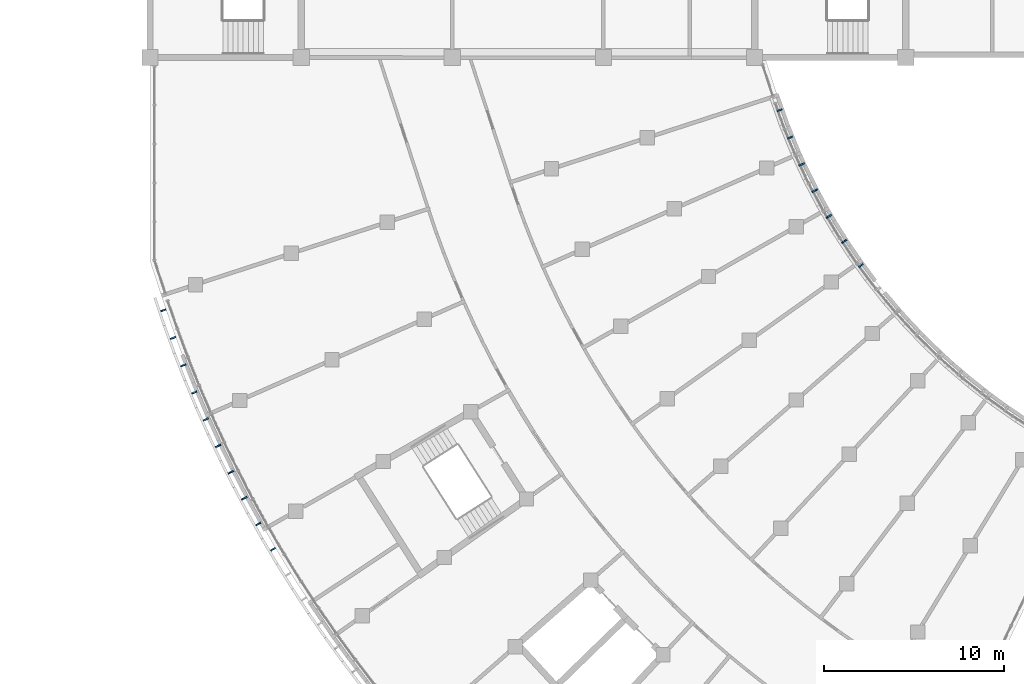
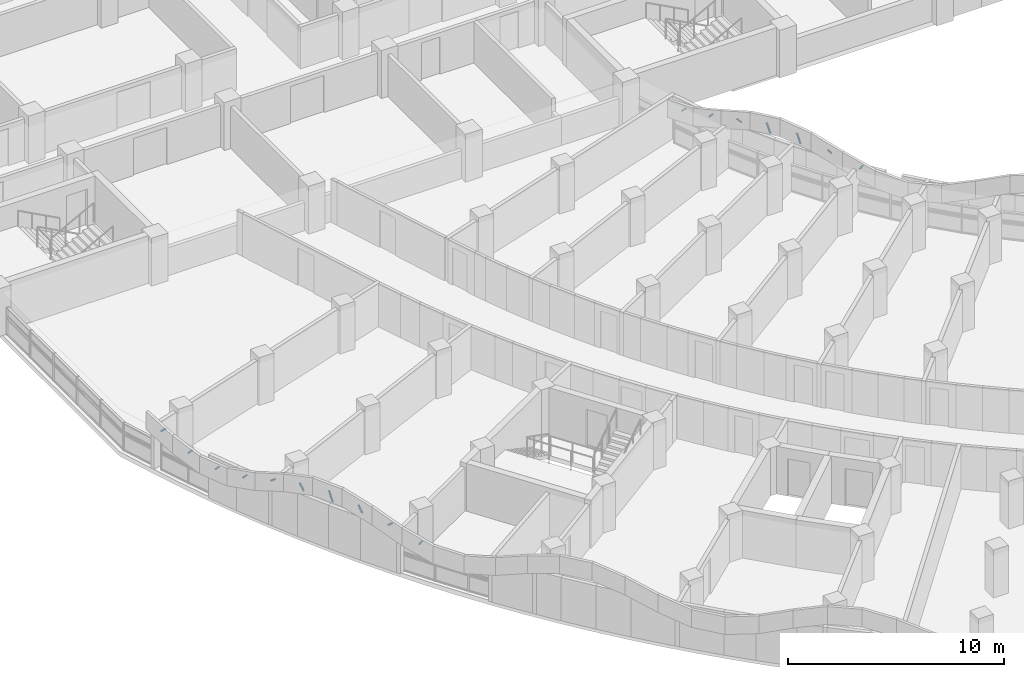
# One storey, part 73 of 89: 17 discrete accessories.
"""IFC4 building model written with IfcOpenShell, lengths in metres."""

from ifc_helpers import new_model, si_unit, direction, frame, origin, origin_2d, place, context, subcontext, project, spatial, rectangle, extrude, material, material_profile, profile_set, type_object, element, save


model = new_model("IFC4")

# Units and contexts
model_context = context("Model", 3, precision=1e-05, world=origin(), true_north=direction((0.0, 1.0)))
body_context = subcontext(model_context, "Body", "Model", "MODEL_VIEW")
ifc_project = project(units=[si_unit("LENGTHUNIT", "METRE"), si_unit("AREAUNIT", "SQUARE_METRE"), si_unit("VOLUMEUNIT", "CUBIC_METRE"), si_unit("PLANEANGLEUNIT", "RADIAN"), si_unit("MASSUNIT", "GRAM", prefix="KILO")], contexts=[model_context])

# Site, building, storey
site_placement = place(None, origin())
site = spatial("IfcSite", under=ifc_project, at=site_placement, CompositionType="ELEMENT")
building_placement = place(site_placement, origin())
building = spatial("IfcBuilding", under=site, at=building_placement, Name="Bougainvillea Quay General Hospital", CompositionType="ELEMENT")
storey_placement = place(building_placement, frame((0.0, 0.0, 9.89990234375)))
storey = spatial("IfcBuildingStorey", under=building, at=storey_placement, Name="L01M", CompositionType="ELEMENT", Elevation=9.89990234375)

# Discrete accessories
ifc_material = material(Name="Stainless steel bracket, grade 316", Category="steel")
ifc_material_profile = material_profile(ifc_material, rectangle(XDim=0.080078125, YDim=0.050048828125, at=origin_2d()))
ifc_profile_set = profile_set([ifc_material_profile], Name="Stainless steel bracket, grade 316")
discrete_accessory_type = type_object("IfcDiscreteAccessoryType", Name="Stainless steel stand-off bracket 80x50", PredefinedType="BRACKET", material=ifc_profile_set)
discrete_accessory_1_placement = place(storey_placement, frame((42.8857421875, 103.60009765625, 2.64013671875), z_axis=(-0.943882176046, -0.318681868717, 0.086765801406), x_axis=(0.319888251559, -0.947455279427, 0.0)))
element("IfcDiscreteAccessory", 1, at=discrete_accessory_1_placement, inside=storey, type_object=discrete_accessory_type, Name="Fascia bracket a01 1", PredefinedType="BRACKET", context=body_context, shape_type="SweptSolid", body=[
    extrude(rectangle(XDim=0.080078125, YDim=0.050048828125, at=origin_2d()), origin(), (0.0, 0.0, 1.0), 0.301025390625),
])
discrete_accessory_2_placement = place(storey_placement, frame((43.4228515625, 102.068603515625, 2.157958984375), z_axis=(-0.939793423488, -0.341743063087, 0.0), x_axis=(0.341743063087, -0.939793423488, 0.0)))
element("IfcDiscreteAccessory", 2, at=discrete_accessory_2_placement, inside=storey, type_object=discrete_accessory_type, Name="Fascia bracket a01 2", PredefinedType="BRACKET", context=body_context, shape_type="SweptSolid", body=[
    extrude(rectangle(XDim=0.080078125, YDim=0.050048828125, at=origin_2d()), origin(), (0.0, 0.0, 1.0), 0.300048828125),
])
discrete_accessory_3_placement = place(storey_placement, frame((43.995361328125, 100.5498046875, 1.9599609375), z_axis=(-0.931698658932, -0.363232169479, 0.0), x_axis=(0.363232169479, -0.931698658932, 0.0)))
element("IfcDiscreteAccessory", 3, at=discrete_accessory_3_placement, inside=storey, type_object=discrete_accessory_type, Name="Fascia bracket a01 3", PredefinedType="BRACKET", context=body_context, shape_type="SweptSolid", body=[
    extrude(rectangle(XDim=0.080078125, YDim=0.050048828125, at=origin_2d()), origin(), (0.0, 0.0, 1.0), 0.2998046875),
])
discrete_accessory_4_placement = place(storey_placement, frame((44.60302734375, 99.044921875, 2.1865234375), z_axis=(-0.922932383394, -0.384962096424, 0.0), x_axis=(0.384962096424, -0.922932383394, 0.0)))
element("IfcDiscreteAccessory", 4, at=discrete_accessory_4_placement, inside=storey, type_object=discrete_accessory_type, Name="Fascia bracket a01 4", PredefinedType="BRACKET", context=body_context, shape_type="SweptSolid", body=[
    extrude(rectangle(XDim=0.080078125, YDim=0.050048828125, at=origin_2d()), origin(), (0.0, 0.0, 1.0), 0.300048828125),
])
discrete_accessory_5_placement = place(storey_placement, frame((45.245361328125, 97.554443359375, 2.64013671875), z_axis=(-0.891633285673, -0.396193240918, 0.219136942872), x_axis=(0.406062961772, -0.913845102344, 0.0)))
element("IfcDiscreteAccessory", 5, at=discrete_accessory_5_placement, inside=storey, type_object=discrete_accessory_type, Name="Fascia bracket a01 5", PredefinedType="BRACKET", context=body_context, shape_type="SweptSolid", body=[
    extrude(rectangle(XDim=0.080078125, YDim=0.050048828125, at=origin_2d()), origin(), (0.0, 0.0, 1.0), 0.307373046875),
])
discrete_accessory_6_placement = place(storey_placement, frame((45.922119140625, 96.079345703125, 2.64013671875), z_axis=(-0.4129727453, -0.19552084971, 0.889508352388), x_axis=(0.427911485157, -0.903820646406, 0.0)))
element("IfcDiscreteAccessory", 6, at=discrete_accessory_6_placement, inside=storey, type_object=discrete_accessory_type, Name="Fascia bracket a01 6", PredefinedType="BRACKET", context=body_context, shape_type="SweptSolid", body=[
    extrude(rectangle(XDim=0.080078125, YDim=0.050048828125, at=origin_2d()), origin(), (0.0, 0.0, 1.0), 0.65673828125),
])
discrete_accessory_7_placement = place(storey_placement, frame((46.6328125, 94.6201171875, 2.64013671875), z_axis=(-0.313656821367, -0.157399734584, 0.936399872898), x_axis=(0.448515525812, -0.893775040547, 0.0)))
element("IfcDiscreteAccessory", 7, at=discrete_accessory_7_placement, inside=storey, type_object=discrete_accessory_type, Name="Fascia bracket a01 7", PredefinedType="BRACKET", context=body_context, shape_type="SweptSolid", body=[
    extrude(rectangle(XDim=0.080078125, YDim=0.050048828125, at=origin_2d()), origin(), (0.0, 0.0, 1.0), 0.854736328125),
])
discrete_accessory_8_placement = place(storey_placement, frame((47.377197265625, 93.177978515625, 2.64013671875), z_axis=(-0.399264820151, -0.211959941389, 0.891998086678), x_axis=(0.468897286653, -0.883252701422, 0.0)))
element("IfcDiscreteAccessory", 8, at=discrete_accessory_8_placement, inside=storey, type_object=discrete_accessory_type, Name="Fascia bracket a01 8", PredefinedType="BRACKET", context=body_context, shape_type="SweptSolid", body=[
    extrude(rectangle(XDim=0.080078125, YDim=0.050048828125, at=origin_2d()), origin(), (0.0, 0.0, 1.0), 0.663330078125),
])
discrete_accessory_9_placement = place(storey_placement, frame((48.15478515625, 91.75341796875, 2.64013671875), z_axis=(-0.843583026125, -0.474170851286, 0.25205095085), x_axis=(0.489990708417, -0.871727655673, 0.0)))
element("IfcDiscreteAccessory", 9, at=discrete_accessory_9_placement, inside=storey, type_object=discrete_accessory_type, Name="Fascia bracket a01 9", PredefinedType="BRACKET", context=body_context, shape_type="SweptSolid", body=[
    extrude(rectangle(XDim=0.080078125, YDim=0.050048828125, at=origin_2d()), origin(), (0.0, 0.0, 1.0), 0.31005859375),
])
discrete_accessory_10_placement = place(storey_placement, frame((48.96533203125, 90.34716796875, 2.194091796875), z_axis=(-0.860423732002, -0.509579239577, 0.0), x_axis=(0.509579239577, -0.860423732002, 0.0)))
element("IfcDiscreteAccessory", 10, at=discrete_accessory_10_placement, inside=storey, type_object=discrete_accessory_type, Name="Fascia bracket a01 10", PredefinedType="BRACKET", context=body_context, shape_type="SweptSolid", body=[
    extrude(rectangle(XDim=0.080078125, YDim=0.050048828125, at=origin_2d()), origin(), (0.0, 0.0, 1.0), 0.2998046875),
])
discrete_accessory_11_placement = place(storey_placement, frame((81.624755859375, 106.126708984375, 2.43310546875), z_axis=(-0.81147258578, -0.584390488054, 0.0), x_axis=(0.584390488054, -0.81147258578, 0.0)))
element("IfcDiscreteAccessory", 11, at=discrete_accessory_11_placement, inside=storey, type_object=discrete_accessory_type, Name="Fascia bracket a03 11", PredefinedType="BRACKET", context=body_context, shape_type="SweptSolid", body=[
    extrude(rectangle(XDim=0.080078125, YDim=0.050048828125, at=origin_2d()), origin(), (0.0, 0.0, 1.0), 0.300048828125),
])
discrete_accessory_12_placement = place(storey_placement, frame((80.707763671875, 107.46533203125, 2.64013671875), z_axis=(-0.540195954618, -0.351389601548, 0.764665729936), x_axis=(0.545274379459, -0.838257628123, 0.0)))
element("IfcDiscreteAccessory", 12, at=discrete_accessory_12_placement, inside=storey, type_object=discrete_accessory_type, Name="Fascia bracket a03 12", PredefinedType="BRACKET", context=body_context, shape_type="SweptSolid", body=[
    extrude(rectangle(XDim=0.080078125, YDim=0.050048828125, at=origin_2d()), origin(), (0.0, 0.0, 1.0), 0.465576171875),
])
discrete_accessory_13_placement = place(storey_placement, frame((79.855712890625, 108.84619140625, 2.64013671875), z_axis=(-0.321302948602, -0.187931913333, 0.928141159076), x_axis=(0.504883315038, -0.863187603129, 0.0)))
element("IfcDiscreteAccessory", 13, at=discrete_accessory_13_placement, inside=storey, type_object=discrete_accessory_type, Name="Fascia bracket a03 13", PredefinedType="BRACKET", context=body_context, shape_type="SweptSolid", body=[
    extrude(rectangle(XDim=0.080078125, YDim=0.050048828125, at=origin_2d()), origin(), (0.0, 0.0, 1.0), 0.805419921875),
])
discrete_accessory_14_placement = place(storey_placement, frame((79.070556640625, 110.26611328125, 2.64013671875), z_axis=(-0.332780648686, -0.173877124979, 0.92683536039), x_axis=(0.463094398528, -0.886308963089, 0.0)))
element("IfcDiscreteAccessory", 14, at=discrete_accessory_14_placement, inside=storey, type_object=discrete_accessory_type, Name="Fascia bracket a03 14", PredefinedType="BRACKET", context=body_context, shape_type="SweptSolid", body=[
    extrude(rectangle(XDim=0.080078125, YDim=0.050048828125, at=origin_2d()), origin(), (0.0, 0.0, 1.0), 0.798828125),
])
discrete_accessory_15_placement = place(storey_placement, frame((78.35400390625, 111.7216796875, 2.64013671875), z_axis=(-0.601515343547, -0.278369432529, 0.748792194478), x_axis=(0.419987027507, -0.907530107889, 0.0)))
element("IfcDiscreteAccessory", 15, at=discrete_accessory_15_placement, inside=storey, type_object=discrete_accessory_type, Name="Fascia bracket a03 15", PredefinedType="BRACKET", context=body_context, shape_type="SweptSolid", body=[
    extrude(rectangle(XDim=0.080078125, YDim=0.050048828125, at=origin_2d()), origin(), (0.0, 0.0, 1.0), 0.45263671875),
])
discrete_accessory_16_placement = place(storey_placement, frame((77.707763671875, 113.2099609375, 2.415771484375), z_axis=(-0.926555273516, -0.376158643554, 0.0), x_axis=(0.376158643554, -0.926555273516, 0.0)))
element("IfcDiscreteAccessory", 16, at=discrete_accessory_16_placement, inside=storey, type_object=discrete_accessory_type, Name="Fascia bracket a03 16", PredefinedType="BRACKET", context=body_context, shape_type="SweptSolid", body=[
    extrude(rectangle(XDim=0.080078125, YDim=0.050048828125, at=origin_2d()), origin(), (0.0, 0.0, 1.0), 0.2998046875),
])
discrete_accessory_17_placement = place(storey_placement, frame((77.13330078125, 114.7275390625, 2.017333984375), z_axis=(-0.943260473244, -0.332053730012, 0.0), x_axis=(0.332053730012, -0.943260473244, 0.0)))
element("IfcDiscreteAccessory", 17, at=discrete_accessory_17_placement, inside=storey, type_object=discrete_accessory_type, Name="Fascia bracket a03 17", PredefinedType="BRACKET", context=body_context, shape_type="SweptSolid", body=[
    extrude(rectangle(XDim=0.080078125, YDim=0.050048828125, at=origin_2d()), origin(), (0.0, 0.0, 1.0), 0.300048828125),
])

save(model, "model.ifc")
